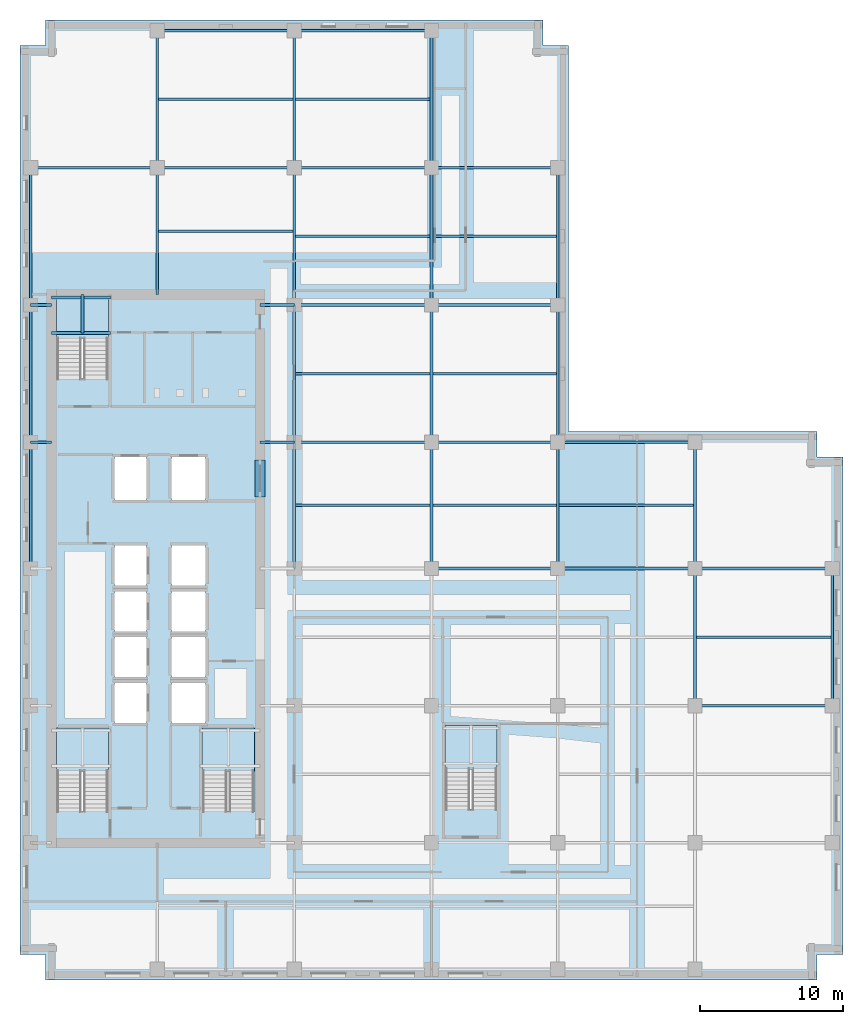
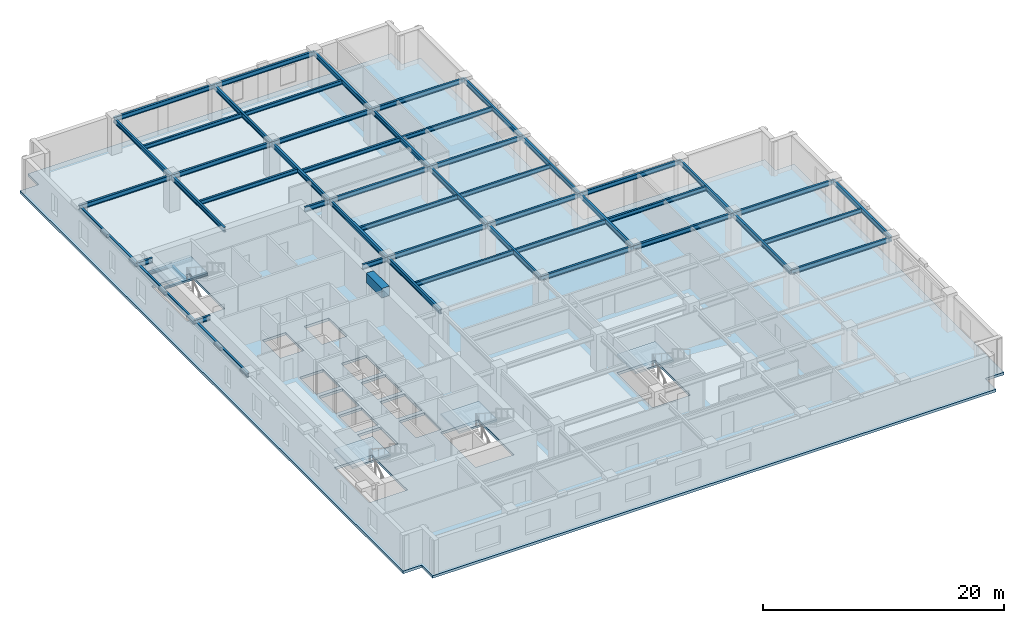
# One storey, part 2 of 12: 53 beams, 5 slabs, 4 elements without a shape of their own.
"""IFC4 building model written with IfcOpenShell, lengths in metres."""

import ifcopenshell
import ifcopenshell.guid

model = None  # the IFC model being written
_history = None  # IfcOwnerHistory: only IFC2X3 demands one
_inside = {}  # id of a spatial element -> (the spatial element, [elements in it])
_under = {}  # id of a project, library or spatial element -> (it, [spatial elements below it])
_declared = {}  # id of a project -> (the project, [libraries it declares])
_typed = {}  # id of a type object -> (the type object, [elements of that type])
_made_of = {}  # id of a material, layer set ... -> (it, [elements and type objects made of it])


def new_model(schema):
    """Start an empty IFC model of exactly this schema.

    Asked for "IFC4X3", IfcOpenShell would pick the latest addendum, in which some entities
    have other attributes; the version numbers below select the first issue.
    IFC2X3 requires an IfcOwnerHistory on every rooted entity: one is made here for all.
    """
    global model, _history
    if schema == "IFC4X3":
        model = ifcopenshell.file(schema_version=(4, 3, 0, 0))
    else:
        model = ifcopenshell.file(schema=schema)
    _inside.clear()
    _under.clear()
    _declared.clear()
    _typed.clear()
    _made_of.clear()
    _history = None
    if model.schema == "IFC2X3":
        org = make("IfcOrganization", Name="unknown")
        user = make(
            "IfcPersonAndOrganization",
            ThePerson=make("IfcPerson", FamilyName="unknown"),
            TheOrganization=org,
        )
        app = make(
            "IfcApplication",
            ApplicationDeveloper=org,
            Version="unknown",
            ApplicationFullName="unknown",
            ApplicationIdentifier="unknown",
        )
        _history = make(
            "IfcOwnerHistory",
            OwningUser=user,
            OwningApplication=app,
            ChangeAction="ADDED",
            CreationDate=0,
        )
    return model


def make(cls, **values):
    """One entity of the class cls with the attributes given. An attribute that is None is left unset."""
    return model.create_entity(
        cls, **{name: value for name, value in values.items() if value is not None}
    )


def rooted(cls, **values):
    """An entity with a GlobalId (a new one), such as an element, a storey or a relation."""
    return make(cls, GlobalId=ifcopenshell.guid.new(), OwnerHistory=_history, **values)


def si_unit(unit_type, name, prefix=None):
    """IfcSIUnit, for example si_unit("LENGTHUNIT", "METRE", prefix="MILLI")."""
    return make("IfcSIUnit", UnitType=unit_type, Prefix=prefix, Name=name)


def assignment(units):
    """IfcUnitAssignment: the units of a project."""
    return None if units is None else make("IfcUnitAssignment", Units=units)


def point(xyz):
    """IfcCartesianPoint."""
    return None if xyz is None else make("IfcCartesianPoint", Coordinates=xyz)


def direction(xyz):
    """IfcDirection."""
    return None if xyz is None else make("IfcDirection", DirectionRatios=xyz)


def frame(location, z_axis=None, x_axis=None):
    """IfcAxis2Placement3D, a coordinate frame: its origin and axes. An axis left out is left unset."""
    return make(
        "IfcAxis2Placement3D",
        Location=point(location),
        Axis=direction(z_axis),
        RefDirection=direction(x_axis),
    )


def frame_2d(location, x_axis=None):
    """IfcAxis2Placement2D, a coordinate frame in the plane: its origin and x axis."""
    return make(
        "IfcAxis2Placement2D", Location=point(location), RefDirection=direction(x_axis)
    )


def origin():
    """The frame at (0, 0, 0) with its axes left unset."""
    return frame((0.0, 0.0, 0.0))


def origin_2d():
    """The frame at (0, 0) in the plane with its x axis left unset."""
    return frame_2d((0.0, 0.0))


def place(relative_to, where):
    """IfcLocalPlacement: puts the frame where relative to a parent placement (None: the world)."""
    return make(
        "IfcLocalPlacement", PlacementRelTo=relative_to, RelativePlacement=where
    )


def context(
    kind, dimensions, precision=None, world=None, true_north=None, identifier=None
):
    """IfcGeometricRepresentationContext, for example the 3D "Model" context."""
    return make(
        "IfcGeometricRepresentationContext",
        ContextIdentifier=identifier,
        ContextType=kind,
        CoordinateSpaceDimension=dimensions,
        Precision=precision,
        WorldCoordinateSystem=world,
        TrueNorth=true_north,
    )


def subcontext(parent, identifier, kind, view, scale=None):
    """IfcGeometricRepresentationSubContext, for example "Body" below "Model"."""
    return make(
        "IfcGeometricRepresentationSubContext",
        ContextIdentifier=identifier,
        ContextType=kind,
        ParentContext=parent,
        TargetScale=scale,
        TargetView=view,
    )


def project(units=None, contexts=None):
    """IfcProject with its units and contexts."""
    return rooted(
        "IfcProject",
        Name="project",
        RepresentationContexts=contexts,
        UnitsInContext=assignment(units),
    )


def spatial(cls, under=None, at=None, **own):
    """A site, building, storey or space (cls), placed at a placement, below another one or the project."""
    s = rooted(cls, ObjectPlacement=at, **own)
    if under is not None:
        _under.setdefault(under.id(), (under, []))[1].append(s)
    return s


def polyline(points):
    """IfcPolyline through the points."""
    return make("IfcPolyline", Points=[point(p) for p in points])


def profile(cls, at=None, kind="AREA", **sizes):
    """A parametric profile (cls). Its sizes go by their IFC names, for example OverallWidth=200.0."""
    return make(cls, ProfileType=kind, Position=at, **sizes)


def rectangle(**sizes):
    """IfcRectangleProfileDef."""
    return profile("IfcRectangleProfileDef", **sizes)


def i_section(**sizes):
    """IfcIShapeProfileDef."""
    return profile("IfcIShapeProfileDef", **sizes)


def outline(outer, holes=None, kind="AREA"):
    """IfcArbitraryClosedProfileDef: a profile drawn as a closed curve; with holes, ...WithVoids."""
    if holes is None:
        return make("IfcArbitraryClosedProfileDef", ProfileType=kind, OuterCurve=outer)
    return make(
        "IfcArbitraryProfileDefWithVoids",
        ProfileType=kind,
        OuterCurve=outer,
        InnerCurves=holes,
    )


def extrude(swept, where, along, depth):
    """IfcExtrudedAreaSolid: the profile swept, set in the frame where, extruded along a direction by depth."""
    return make(
        "IfcExtrudedAreaSolid",
        SweptArea=swept,
        Position=where,
        ExtrudedDirection=direction(along),
        Depth=depth,
    )


def shape(context_of_items, identifier, shape_type, items):
    """IfcShapeRepresentation: the items that make up one representation, for example the "Body"."""
    return make(
        "IfcShapeRepresentation",
        ContextOfItems=context_of_items,
        RepresentationIdentifier=identifier,
        RepresentationType=shape_type,
        Items=items,
    )


def material(Name=None, Category=None):
    """IfcMaterial."""
    return make("IfcMaterial", Name=Name, Category=Category)


def layer(
    of_material, thickness, ventilated=None, Name=None, Category=None, Priority=None
):
    """IfcMaterialLayer: one layer of a wall or slab, of a material (None: an air gap)."""
    return make(
        "IfcMaterialLayer",
        Material=of_material,
        LayerThickness=thickness,
        IsVentilated=ventilated,
        Name=Name,
        Category=Category,
        Priority=Priority,
    )


def layer_set(layers, Name=None):
    """IfcMaterialLayerSet."""
    return make("IfcMaterialLayerSet", MaterialLayers=layers, LayerSetName=Name)


def material_profile(
    of_material, cross_section, Name=None, Category=None, Priority=None
):
    """IfcMaterialProfile: a cross section and its material."""
    return make(
        "IfcMaterialProfile",
        Name=Name,
        Material=of_material,
        Profile=cross_section,
        Priority=Priority,
        Category=Category,
    )


def profile_set(profiles, Name=None, composite=None):
    """IfcMaterialProfileSet."""
    return make(
        "IfcMaterialProfileSet",
        Name=Name,
        MaterialProfiles=profiles,
        CompositeProfile=composite,
    )


def made_of(thing, what):
    """Note that an element or type object is made of a material, layer set ...; save() writes the relation."""
    if what is not None:
        _made_of.setdefault(what.id(), (what, []))[1].append(thing)
    return thing


def type_object(cls, material=None, **own):
    """A type object (cls), such as IfcWallType, which elements share."""
    return made_of(rooted(cls, **own), material)


def element(
    cls,
    number,
    at=None,
    inside=None,
    cuts=None,
    type_object=None,
    material=None,
    context=None,
    identifier="Body",
    shape_type=None,
    held_by="IfcProductDefinitionShape",
    body=None,
    shapes=None,
    **own,
):
    """One element of the class cls, such as IfcWall. Its Tag is "e" and its number.

    at: its placement. inside: the storey or other place that contains it. cuts: it is an
    opening in that element (IfcRelVoidsElement). A single representation is given by context,
    identifier, shape_type and body (its items); several are given by shapes. held_by: the class
    of the entity that holds the representations. save() writes the other relations.
    """
    e = rooted(cls, Tag="e%d" % number, ObjectPlacement=at, **own)
    if body is not None:
        shapes = [shape(context, identifier, shape_type, body)]
    if shapes is not None:
        e.Representation = make(held_by, Representations=shapes)
    if inside is not None:
        _inside.setdefault(inside.id(), (inside, []))[1].append(e)
    if cuts is not None:
        rooted(
            "IfcRelVoidsElement", RelatingBuildingElement=cuts, RelatedOpeningElement=e
        )
    if type_object is not None:
        _typed.setdefault(type_object.id(), (type_object, []))[1].append(e)
    return made_of(e, material)


def aggregate(whole, parts):
    """IfcRelAggregates: a whole, such as a stair, and the parts it consists of."""
    return rooted("IfcRelAggregates", RelatingObject=whole, RelatedObjects=parts)


def save(model, path):
    """Write the relations noted so far, then the file.

    IfcRelAggregates (storeys below a building ...), IfcRelContainedInSpatialStructure (elements
    in a storey), IfcRelDefinesByType, IfcRelAssociatesMaterial and IfcRelDeclares: one each for
    every whole, place, type object, material and project.
    """
    for whole, parts in _under.values():
        aggregate(whole, parts)
    for where, things in _inside.values():
        rooted(
            "IfcRelContainedInSpatialStructure",
            RelatedElements=things,
            RelatingStructure=where,
        )
    for kind, things in _typed.values():
        rooted("IfcRelDefinesByType", RelatedObjects=things, RelatingType=kind)
    for what, things in _made_of.values():
        rooted("IfcRelAssociatesMaterial", RelatedObjects=things, RelatingMaterial=what)
    for by, libraries in _declared.values():
        rooted("IfcRelDeclares", RelatingContext=by, RelatedDefinitions=libraries)
    model.write(path)


model = new_model("IFC4")

# Units and contexts
model_context = context("Model", 3, precision=1e-05, world=origin(), true_north=direction((0.0, 1.0)))
body_context = subcontext(model_context, "Body", "Model", "MODEL_VIEW")
ifc_project = project(units=[si_unit("LENGTHUNIT", "METRE"), si_unit("AREAUNIT", "SQUARE_METRE"), si_unit("VOLUMEUNIT", "CUBIC_METRE"), si_unit("PLANEANGLEUNIT", "RADIAN"), si_unit("MASSUNIT", "GRAM", prefix="KILO")], contexts=[model_context])

# Site, building, storey
site_placement = place(None, origin())
site = spatial("IfcSite", under=ifc_project, at=site_placement, CompositionType="ELEMENT")
building_placement = place(site_placement, origin())
building = spatial("IfcBuilding", under=site, at=building_placement, Name="Norrvale University Quadrangle", CompositionType="ELEMENT")
storey_placement = place(building_placement, frame((0.0, 0.0, 147.0)))
storey = spatial("IfcBuildingStorey", under=building, at=storey_placement, Name="L37", CompositionType="ELEMENT", Elevation=147.0)

# Beams
ifc_material_1 = material(Name="Steel 350W", Category="steel")
ifc_material_profile_1 = material_profile(ifc_material_1, i_section(OverallWidth=0.180908203125, OverallDepth=0.4169921875, WebThickness=0.010986328125, FlangeThickness=0.018310546875, FilletRadius=0.011962890625, at=origin_2d()), Name="Steel 350W")
ifc_profile_set_1 = profile_set([ifc_material_profile_1], Name="Steel 350W")
beam_type_1 = type_object("IfcBeamType", Name="Beam Atrium W410x85", PredefinedType="BEAM", material=ifc_profile_set_1)
beam_1_placement = place(storey_placement, frame((9.697021484375, 61.64990234375, 3.271484375), z_axis=(1.0, 0.0, 0.0), x_axis=(0.0, 1.0, 0.0)))
element("IfcBeam", 1, at=beam_1_placement, inside=storey, type_object=beam_type_1, Name="Beam Atrium W410x85 BM-L37-J070", PredefinedType="BEAM", context=body_context, shape_type="SweptSolid", body=[
    extrude(i_section(OverallWidth=0.180908203125, OverallDepth=0.4169921875, WebThickness=0.010986328125, FlangeThickness=0.018310546875, FilletRadius=0.011962890625, at=origin_2d()), origin(), (0.0, 0.0, 1.0), 9.406005859375),
])
for number, where, z_axis, x_axis, name in (
    (2, (19.297119140625, 33.22509765625, 3.271484375), (1.0, 0.0, 0.0), (0.0, 1.0, 0.0), "Beam Atrium W410x85 BM-L37-J074"),
    (3, (19.297119140625, 42.449951171875, 3.271484375), (1.0, 0.0, 0.0), (0.0, 1.0, 0.0), "Beam Atrium W410x85 BM-L37-J075"),
    (4, (19.297119140625, 52.050048828125, 3.271484375), (1.0, 0.0, 0.0), (0.0, 1.0, 0.0), "Beam Atrium W410x85 BM-L37-J076"),
    (5, (19.297119140625, 61.64990234375, 3.271484375), (1.0, 0.0, 0.0), (0.0, 1.0, 0.0), "Beam Atrium W410x85 BM-L37-J077"),
):
    element("IfcBeam", number, at=place(storey_placement, frame(where, z_axis=z_axis, x_axis=x_axis)), inside=storey, type_object=beam_type_1, Name=name, PredefinedType="BEAM", context=body_context, shape_type="SweptSolid", body=[
        extrude(i_section(OverallWidth=0.180908203125, OverallDepth=0.4169921875, WebThickness=0.010986328125, FlangeThickness=0.018310546875, FilletRadius=0.011962890625, at=origin_2d()), origin(), (0.0, 0.0, 1.0), 9.40576171875),
    ])
for number, where, z_axis, x_axis, name in (
    (6, (28.89697265625, 33.22509765625, 3.271484375), (1.0, 0.0, 0.0), (0.0, 1.0, 0.0), "Beam Atrium W410x85 BM-L37-J080"),
    (7, (28.89697265625, 42.449951171875, 3.271484375), (1.0, 0.0, 0.0), (0.0, 1.0, 0.0), "Beam Atrium W410x85 BM-L37-J081"),
    (8, (28.89697265625, 52.050048828125, 3.271484375), (1.0, 0.0, 0.0), (0.0, 1.0, 0.0), "Beam Atrium W410x85 BM-L37-J082"),
):
    element("IfcBeam", number, at=place(storey_placement, frame(where, z_axis=z_axis, x_axis=x_axis)), inside=storey, type_object=beam_type_1, Name=name, PredefinedType="BEAM", context=body_context, shape_type="SweptSolid", body=[
        extrude(i_section(OverallWidth=0.180908203125, OverallDepth=0.4169921875, WebThickness=0.010986328125, FlangeThickness=0.018310546875, FilletRadius=0.011962890625, at=origin_2d()), origin(), (0.0, 0.0, 1.0), 8.656005859375),
    ])
for number, where, z_axis, x_axis, name in (
    (9, (37.7470703125, 33.22509765625, 3.271484375), (1.0, 0.0, 0.0), (0.0, 1.0, 0.0), "Beam Atrium W410x85 BM-L37-J086"),
    (10, (47.346923828125, 24.0, 3.271484375), (1.0, 0.0, 0.0), (0.0, 1.0, 0.0), "Beam Atrium W410x85 BM-L37-J088"),
    (11, (9.697021484375, 52.39990234375, 3.271484375), (1.0, 0.0, 0.0), (0.0, 1.0, 0.0), "Beam Atrium W410x85 BM-L37-JCN092"),
):
    element("IfcBeam", number, at=place(storey_placement, frame(where, z_axis=z_axis, x_axis=x_axis)), inside=storey, type_object=beam_type_1, Name=name, PredefinedType="BEAM", context=body_context, shape_type="SweptSolid", body=[
        extrude(i_section(OverallWidth=0.180908203125, OverallDepth=0.4169921875, WebThickness=0.010986328125, FlangeThickness=0.018310546875, FilletRadius=0.011962890625, at=origin_2d()), origin(), (0.0, 0.0, 1.0), 9.406005859375),
    ])
ifc_material_2 = material(Name="Concrete C80/95", Category="concrete")
ifc_material_profile_2 = material_profile(ifc_material_2, rectangle(XDim=0.699951171875, YDim=0.949951171875, at=origin_2d()), Name="Concrete C80/95")
ifc_profile_set_2 = profile_set([ifc_material_profile_2], Name="Concrete C80/95")
beam_type_2 = type_object("IfcBeamType", Name="Beam Core Link 700x950", PredefinedType="LINTEL", material=ifc_profile_set_2)
beam_2_placement = place(storey_placement, frame((16.800048828125, 33.800048828125, 3.0048828125), z_axis=(0.0, 1.0, 0.0), x_axis=(-1.0, 0.0, 0.0)))
element("IfcBeam", 12, at=beam_2_placement, inside=storey, type_object=beam_type_2, Name="Core Coupling Lintel Beam L37-2", PredefinedType="LINTEL", context=body_context, shape_type="SweptSolid", body=[
    extrude(rectangle(XDim=0.699951171875, YDim=0.949951171875, at=origin_2d()), origin(), (0.0, 0.0, 1.0), 2.599853515625),
])
ifc_material_profile_3 = material_profile(ifc_material_1, i_section(OverallWidth=0.194091796875, OverallDepth=0.468994140625, WebThickness=0.0126953125, FlangeThickness=0.0205078125, FilletRadius=0.012939453125, at=origin_2d()), Name="Steel 350W")
ifc_profile_set_3 = profile_set([ifc_material_profile_3], Name="Steel 350W")
beam_type_3 = type_object("IfcBeamType", Name="Beam Floor W460x106", PredefinedType="BEAM", material=ifc_profile_set_3)
beam_3_placement = place(storey_placement, frame((47.25, 19.199951171875, 3.24560546875), z_axis=(1.0, 0.0, 0.0), x_axis=(0.0, 1.0, 0.0)))
element("IfcBeam", 13, at=beam_3_placement, inside=storey, type_object=beam_type_3, Name="Beam Floor W460x106 BM-L37-GX012", PredefinedType="BEAM", context=body_context, shape_type="SweptSolid", body=[
    extrude(i_section(OverallWidth=0.194091796875, OverallDepth=0.468994140625, WebThickness=0.0126953125, FlangeThickness=0.0205078125, FilletRadius=0.012939453125, at=origin_2d()), origin(), (0.0, 0.0, 1.0), 9.60009765625),
])
beam_4_placement = place(storey_placement, frame((28.800048828125, 28.800048828125, 3.24560546875), z_axis=(1.0, 0.0, 0.0), x_axis=(0.0, 1.0, 0.0)))
element("IfcBeam", 14, at=beam_4_placement, inside=storey, type_object=beam_type_3, Name="Beam Floor W460x106 BM-L37-GX014", PredefinedType="BEAM", context=body_context, shape_type="SweptSolid", body=[
    extrude(i_section(OverallWidth=0.194091796875, OverallDepth=0.468994140625, WebThickness=0.0126953125, FlangeThickness=0.0205078125, FilletRadius=0.012939453125, at=origin_2d()), origin(), (0.0, 0.0, 1.0), 8.849853515625),
])
for number, where, z_axis, x_axis, name in (
    (15, (37.64990234375, 28.800048828125, 3.24560546875), (1.0, 0.0, 0.0), (0.0, 1.0, 0.0), "Beam Floor W460x106 BM-L37-GX015"),
    (16, (47.25, 28.800048828125, 3.24560546875), (1.0, 0.0, 0.0), (0.0, 1.0, 0.0), "Beam Floor W460x106 BM-L37-GX016"),
    (17, (19.199951171875, 37.64990234375, 3.24560546875), (1.0, 0.0, 0.0), (0.0, 1.0, 0.0), "Beam Floor W460x106 BM-L37-GX017"),
):
    element("IfcBeam", number, at=place(storey_placement, frame(where, z_axis=z_axis, x_axis=x_axis)), inside=storey, type_object=beam_type_3, Name=name, PredefinedType="BEAM", context=body_context, shape_type="SweptSolid", body=[
        extrude(i_section(OverallWidth=0.194091796875, OverallDepth=0.468994140625, WebThickness=0.0126953125, FlangeThickness=0.0205078125, FilletRadius=0.012939453125, at=origin_2d()), origin(), (0.0, 0.0, 1.0), 9.60009765625),
    ])
beam_5_placement = place(storey_placement, frame((28.800048828125, 37.64990234375, 3.24560546875), z_axis=(1.0, 0.0, 0.0), x_axis=(0.0, 1.0, 0.0)))
element("IfcBeam", 18, at=beam_5_placement, inside=storey, type_object=beam_type_3, Name="Beam Floor W460x106 BM-L37-GX018", PredefinedType="BEAM", context=body_context, shape_type="SweptSolid", body=[
    extrude(i_section(OverallWidth=0.194091796875, OverallDepth=0.468994140625, WebThickness=0.0126953125, FlangeThickness=0.0205078125, FilletRadius=0.012939453125, at=origin_2d()), origin(), (0.0, 0.0, 1.0), 8.849853515625),
])
for number, where, z_axis, x_axis, name in (
    (19, (37.64990234375, 37.64990234375, 3.24560546875), (1.0, 0.0, 0.0), (0.0, 1.0, 0.0), "Beam Floor W460x106 BM-L37-GX019"),
    (20, (19.199951171875, 47.25, 3.24560546875), (1.0, 0.0, 0.0), (0.0, 1.0, 0.0), "Beam Floor W460x106 BM-L37-GX020"),
):
    element("IfcBeam", number, at=place(storey_placement, frame(where, z_axis=z_axis, x_axis=x_axis)), inside=storey, type_object=beam_type_3, Name=name, PredefinedType="BEAM", context=body_context, shape_type="SweptSolid", body=[
        extrude(i_section(OverallWidth=0.194091796875, OverallDepth=0.468994140625, WebThickness=0.0126953125, FlangeThickness=0.0205078125, FilletRadius=0.012939453125, at=origin_2d()), origin(), (0.0, 0.0, 1.0), 9.60009765625),
    ])
beam_6_placement = place(storey_placement, frame((28.800048828125, 47.25, 3.24560546875), z_axis=(1.0, 0.0, 0.0), x_axis=(0.0, 1.0, 0.0)))
element("IfcBeam", 21, at=beam_6_placement, inside=storey, type_object=beam_type_3, Name="Beam Floor W460x106 BM-L37-GX021", PredefinedType="BEAM", context=body_context, shape_type="SweptSolid", body=[
    extrude(i_section(OverallWidth=0.194091796875, OverallDepth=0.468994140625, WebThickness=0.0126953125, FlangeThickness=0.0205078125, FilletRadius=0.012939453125, at=origin_2d()), origin(), (0.0, 0.0, 1.0), 8.849853515625),
])
beam_7_placement = place(storey_placement, frame((0.75, 56.85009765625, 3.24560546875), z_axis=(1.0, 0.0, 0.0), x_axis=(0.0, 1.0, 0.0)))
element("IfcBeam", 22, at=beam_7_placement, inside=storey, type_object=beam_type_3, Name="Beam Floor W460x106 BM-L37-GX022", PredefinedType="BEAM", context=body_context, shape_type="SweptSolid", body=[
    extrude(i_section(OverallWidth=0.194091796875, OverallDepth=0.468994140625, WebThickness=0.0126953125, FlangeThickness=0.0205078125, FilletRadius=0.012939453125, at=origin_2d()), origin(), (0.0, 0.0, 1.0), 8.85009765625),
])
beam_8_placement = place(storey_placement, frame((9.60009765625, 56.85009765625, 3.24560546875), z_axis=(1.0, 0.0, 0.0), x_axis=(0.0, 1.0, 0.0)))
element("IfcBeam", 23, at=beam_8_placement, inside=storey, type_object=beam_type_3, Name="Beam Floor W460x106 BM-L37-GX023", PredefinedType="BEAM", context=body_context, shape_type="SweptSolid", body=[
    extrude(i_section(OverallWidth=0.194091796875, OverallDepth=0.468994140625, WebThickness=0.0126953125, FlangeThickness=0.0205078125, FilletRadius=0.012939453125, at=origin_2d()), origin(), (0.0, 0.0, 1.0), 9.599853515625),
])
beam_9_placement = place(storey_placement, frame((19.199951171875, 56.85009765625, 3.24560546875), z_axis=(1.0, 0.0, 0.0), x_axis=(0.0, 1.0, 0.0)))
element("IfcBeam", 24, at=beam_9_placement, inside=storey, type_object=beam_type_3, Name="Beam Floor W460x106 BM-L37-GX024", PredefinedType="BEAM", context=body_context, shape_type="SweptSolid", body=[
    extrude(i_section(OverallWidth=0.194091796875, OverallDepth=0.468994140625, WebThickness=0.0126953125, FlangeThickness=0.0205078125, FilletRadius=0.012939453125, at=origin_2d()), origin(), (0.0, 0.0, 1.0), 9.60009765625),
])
beam_10_placement = place(storey_placement, frame((28.800048828125, 56.85009765625, 3.24560546875), z_axis=(1.0, 0.0, 0.0), x_axis=(0.0, 1.0, 0.0)))
element("IfcBeam", 25, at=beam_10_placement, inside=storey, type_object=beam_type_3, Name="Beam Floor W460x106 BM-L37-GX025", PredefinedType="BEAM", context=body_context, shape_type="SweptSolid", body=[
    extrude(i_section(OverallWidth=0.194091796875, OverallDepth=0.468994140625, WebThickness=0.0126953125, FlangeThickness=0.0205078125, FilletRadius=0.012939453125, at=origin_2d()), origin(), (0.0, 0.0, 1.0), 8.849853515625),
])
beam_11_placement = place(storey_placement, frame((9.60009765625, 66.449951171875, 3.24560546875), z_axis=(1.0, 0.0, 0.0), x_axis=(0.0, 1.0, 0.0)))
element("IfcBeam", 26, at=beam_11_placement, inside=storey, type_object=beam_type_3, Name="Beam Floor W460x106 BM-L37-GX026", PredefinedType="BEAM", context=body_context, shape_type="SweptSolid", body=[
    extrude(i_section(OverallWidth=0.194091796875, OverallDepth=0.468994140625, WebThickness=0.0126953125, FlangeThickness=0.0205078125, FilletRadius=0.012939453125, at=origin_2d()), origin(), (0.0, 0.0, 1.0), 9.599853515625),
])
beam_12_placement = place(storey_placement, frame((19.199951171875, 66.449951171875, 3.24560546875), z_axis=(1.0, 0.0, 0.0), x_axis=(0.0, 1.0, 0.0)))
element("IfcBeam", 27, at=beam_12_placement, inside=storey, type_object=beam_type_3, Name="Beam Floor W460x106 BM-L37-GX027", PredefinedType="BEAM", context=body_context, shape_type="SweptSolid", body=[
    extrude(i_section(OverallWidth=0.194091796875, OverallDepth=0.468994140625, WebThickness=0.0126953125, FlangeThickness=0.0205078125, FilletRadius=0.012939453125, at=origin_2d()), origin(), (0.0, 0.0, 1.0), 9.60009765625),
])
beam_13_placement = place(storey_placement, frame((0.75, 28.800048828125, 3.24560546875), z_axis=(0.0, 1.0, 0.0), x_axis=(-1.0, 0.0, 0.0)))
element("IfcBeam", 28, at=beam_13_placement, inside=storey, type_object=beam_type_3, Name="Beam Floor W460x106 BM-L37-GY030", PredefinedType="BEAM", context=body_context, shape_type="SweptSolid", body=[
    extrude(i_section(OverallWidth=0.194091796875, OverallDepth=0.468994140625, WebThickness=0.0126953125, FlangeThickness=0.0205078125, FilletRadius=0.012939453125, at=origin_2d()), origin(), (0.0, 0.0, 1.0), 8.849853515625),
])
for number, where, z_axis, x_axis, name in (
    (29, (0.75, 37.64990234375, 3.24560546875), (0.0, 1.0, 0.0), (-1.0, 0.0, 0.0), "Beam Floor W460x106 BM-L37-GY031"),
    (30, (0.75, 47.25, 3.24560546875), (0.0, 1.0, 0.0), (-1.0, 0.0, 0.0), "Beam Floor W460x106 BM-L37-GY032"),
):
    element("IfcBeam", number, at=place(storey_placement, frame(where, z_axis=z_axis, x_axis=x_axis)), inside=storey, type_object=beam_type_3, Name=name, PredefinedType="BEAM", context=body_context, shape_type="SweptSolid", body=[
        extrude(i_section(OverallWidth=0.194091796875, OverallDepth=0.468994140625, WebThickness=0.0126953125, FlangeThickness=0.0205078125, FilletRadius=0.012939453125, at=origin_2d()), origin(), (0.0, 0.0, 1.0), 9.60009765625),
    ])
beam_14_placement = place(storey_placement, frame((9.60009765625, 56.85009765625, 3.24560546875), z_axis=(0.0, 1.0, 0.0), x_axis=(-1.0, 0.0, 0.0)))
element("IfcBeam", 31, at=beam_14_placement, inside=storey, type_object=beam_type_3, Name="Beam Floor W460x106 BM-L37-GY033", PredefinedType="BEAM", context=body_context, shape_type="SweptSolid", body=[
    extrude(i_section(OverallWidth=0.194091796875, OverallDepth=0.468994140625, WebThickness=0.0126953125, FlangeThickness=0.0205078125, FilletRadius=0.012939453125, at=origin_2d()), origin(), (0.0, 0.0, 1.0), 9.599853515625),
])
beam_15_placement = place(storey_placement, frame((19.199951171875, 28.800048828125, 3.24560546875), z_axis=(0.0, 1.0, 0.0), x_axis=(-1.0, 0.0, 0.0)))
element("IfcBeam", 32, at=beam_15_placement, inside=storey, type_object=beam_type_3, Name="Beam Floor W460x106 BM-L37-GY037", PredefinedType="BEAM", context=body_context, shape_type="SweptSolid", body=[
    extrude(i_section(OverallWidth=0.194091796875, OverallDepth=0.468994140625, WebThickness=0.0126953125, FlangeThickness=0.0205078125, FilletRadius=0.012939453125, at=origin_2d()), origin(), (0.0, 0.0, 1.0), 8.849853515625),
])
for number, where, z_axis, x_axis, name in (
    (33, (19.199951171875, 37.64990234375, 3.24560546875), (0.0, 1.0, 0.0), (-1.0, 0.0, 0.0), "Beam Floor W460x106 BM-L37-GY038"),
    (34, (19.199951171875, 47.25, 3.24560546875), (0.0, 1.0, 0.0), (-1.0, 0.0, 0.0), "Beam Floor W460x106 BM-L37-GY039"),
):
    element("IfcBeam", number, at=place(storey_placement, frame(where, z_axis=z_axis, x_axis=x_axis)), inside=storey, type_object=beam_type_3, Name=name, PredefinedType="BEAM", context=body_context, shape_type="SweptSolid", body=[
        extrude(i_section(OverallWidth=0.194091796875, OverallDepth=0.468994140625, WebThickness=0.0126953125, FlangeThickness=0.0205078125, FilletRadius=0.012939453125, at=origin_2d()), origin(), (0.0, 0.0, 1.0), 9.60009765625),
    ])
beam_16_placement = place(storey_placement, frame((19.199951171875, 56.85009765625, 3.24560546875), z_axis=(0.0, 1.0, 0.0), x_axis=(-1.0, 0.0, 0.0)))
element("IfcBeam", 35, at=beam_16_placement, inside=storey, type_object=beam_type_3, Name="Beam Floor W460x106 BM-L37-GY040", PredefinedType="BEAM", context=body_context, shape_type="SweptSolid", body=[
    extrude(i_section(OverallWidth=0.194091796875, OverallDepth=0.468994140625, WebThickness=0.0126953125, FlangeThickness=0.0205078125, FilletRadius=0.012939453125, at=origin_2d()), origin(), (0.0, 0.0, 1.0), 9.599853515625),
])
beam_17_placement = place(storey_placement, frame((28.800048828125, 28.800048828125, 3.24560546875), z_axis=(0.0, 1.0, 0.0), x_axis=(-1.0, 0.0, 0.0)))
element("IfcBeam", 36, at=beam_17_placement, inside=storey, type_object=beam_type_3, Name="Beam Floor W460x106 BM-L37-GY044", PredefinedType="BEAM", context=body_context, shape_type="SweptSolid", body=[
    extrude(i_section(OverallWidth=0.194091796875, OverallDepth=0.468994140625, WebThickness=0.0126953125, FlangeThickness=0.0205078125, FilletRadius=0.012939453125, at=origin_2d()), origin(), (0.0, 0.0, 1.0), 8.849853515625),
])
for number, where, z_axis, x_axis, name in (
    (37, (28.800048828125, 37.64990234375, 3.24560546875), (0.0, 1.0, 0.0), (-1.0, 0.0, 0.0), "Beam Floor W460x106 BM-L37-GY045"),
    (38, (28.800048828125, 47.25, 3.24560546875), (0.0, 1.0, 0.0), (-1.0, 0.0, 0.0), "Beam Floor W460x106 BM-L37-GY046"),
):
    element("IfcBeam", number, at=place(storey_placement, frame(where, z_axis=z_axis, x_axis=x_axis)), inside=storey, type_object=beam_type_3, Name=name, PredefinedType="BEAM", context=body_context, shape_type="SweptSolid", body=[
        extrude(i_section(OverallWidth=0.194091796875, OverallDepth=0.468994140625, WebThickness=0.0126953125, FlangeThickness=0.0205078125, FilletRadius=0.012939453125, at=origin_2d()), origin(), (0.0, 0.0, 1.0), 9.60009765625),
    ])
beam_18_placement = place(storey_placement, frame((28.800048828125, 56.85009765625, 3.24560546875), z_axis=(0.0, 1.0, 0.0), x_axis=(-1.0, 0.0, 0.0)))
element("IfcBeam", 39, at=beam_18_placement, inside=storey, type_object=beam_type_3, Name="Beam Floor W460x106 BM-L37-GY047", PredefinedType="BEAM", context=body_context, shape_type="SweptSolid", body=[
    extrude(i_section(OverallWidth=0.194091796875, OverallDepth=0.468994140625, WebThickness=0.0126953125, FlangeThickness=0.0205078125, FilletRadius=0.012939453125, at=origin_2d()), origin(), (0.0, 0.0, 1.0), 9.599853515625),
])
beam_19_placement = place(storey_placement, frame((37.64990234375, 28.800048828125, 3.24560546875), z_axis=(0.0, 1.0, 0.0), x_axis=(-1.0, 0.0, 0.0)))
element("IfcBeam", 40, at=beam_19_placement, inside=storey, type_object=beam_type_3, Name="Beam Floor W460x106 BM-L37-GY051", PredefinedType="BEAM", context=body_context, shape_type="SweptSolid", body=[
    extrude(i_section(OverallWidth=0.194091796875, OverallDepth=0.468994140625, WebThickness=0.0126953125, FlangeThickness=0.0205078125, FilletRadius=0.012939453125, at=origin_2d()), origin(), (0.0, 0.0, 1.0), 8.849853515625),
])
for number, where, z_axis, x_axis, name in (
    (41, (37.64990234375, 37.64990234375, 3.24560546875), (0.0, 1.0, 0.0), (-1.0, 0.0, 0.0), "Beam Floor W460x106 BM-L37-GY052"),
    (42, (37.64990234375, 47.25, 3.24560546875), (0.0, 1.0, 0.0), (-1.0, 0.0, 0.0), "Beam Floor W460x106 BM-L37-GY053"),
    (43, (47.25, 19.199951171875, 3.24560546875), (0.0, 1.0, 0.0), (-1.0, 0.0, 0.0), "Beam Floor W460x106 BM-L37-GY056"),
):
    element("IfcBeam", number, at=place(storey_placement, frame(where, z_axis=z_axis, x_axis=x_axis)), inside=storey, type_object=beam_type_3, Name=name, PredefinedType="BEAM", context=body_context, shape_type="SweptSolid", body=[
        extrude(i_section(OverallWidth=0.194091796875, OverallDepth=0.468994140625, WebThickness=0.0126953125, FlangeThickness=0.0205078125, FilletRadius=0.012939453125, at=origin_2d()), origin(), (0.0, 0.0, 1.0), 9.60009765625),
    ])
beam_20_placement = place(storey_placement, frame((47.25, 28.800048828125, 3.24560546875), z_axis=(0.0, 1.0, 0.0), x_axis=(-1.0, 0.0, 0.0)))
element("IfcBeam", 44, at=beam_20_placement, inside=storey, type_object=beam_type_3, Name="Beam Floor W460x106 BM-L37-GY057", PredefinedType="BEAM", context=body_context, shape_type="SweptSolid", body=[
    extrude(i_section(OverallWidth=0.194091796875, OverallDepth=0.468994140625, WebThickness=0.0126953125, FlangeThickness=0.0205078125, FilletRadius=0.012939453125, at=origin_2d()), origin(), (0.0, 0.0, 1.0), 8.849853515625),
])
beam_21_placement = place(storey_placement, frame((56.85009765625, 19.199951171875, 3.24560546875), z_axis=(0.0, 1.0, 0.0), x_axis=(-1.0, 0.0, 0.0)))
element("IfcBeam", 45, at=beam_21_placement, inside=storey, type_object=beam_type_3, Name="Beam Floor W460x106 BM-L37-GY059", PredefinedType="BEAM", context=body_context, shape_type="SweptSolid", body=[
    extrude(i_section(OverallWidth=0.194091796875, OverallDepth=0.468994140625, WebThickness=0.0126953125, FlangeThickness=0.0205078125, FilletRadius=0.012939453125, at=origin_2d()), origin(), (0.0, 0.0, 1.0), 9.60009765625),
])
beam_22_placement = place(storey_placement, frame((0.75, 37.64990234375, 3.24560546875), z_axis=(1.0, 0.0, 0.0), x_axis=(0.0, 1.0, 0.0)))
element("IfcBeam", 46, at=beam_22_placement, inside=storey, type_object=beam_type_3, Name="Beam Floor W460x106 BM-L37-GCW066", PredefinedType="BEAM", context=body_context, shape_type="SweptSolid", body=[
    extrude(i_section(OverallWidth=0.194091796875, OverallDepth=0.468994140625, WebThickness=0.0126953125, FlangeThickness=0.0205078125, FilletRadius=0.012939453125, at=origin_2d()), origin(), (0.0, 0.0, 1.0), 1.449951171875),
])
beam_23_placement = place(storey_placement, frame((16.800048828125, 37.64990234375, 3.24560546875), z_axis=(1.0, 0.0, 0.0), x_axis=(0.0, 1.0, 0.0)))
element("IfcBeam", 47, at=beam_23_placement, inside=storey, type_object=beam_type_3, Name="Beam Floor W460x106 BM-L37-GCE067", PredefinedType="BEAM", context=body_context, shape_type="SweptSolid", body=[
    extrude(i_section(OverallWidth=0.194091796875, OverallDepth=0.468994140625, WebThickness=0.0126953125, FlangeThickness=0.0205078125, FilletRadius=0.012939453125, at=origin_2d()), origin(), (0.0, 0.0, 1.0), 2.39990234375),
])
beam_24_placement = place(storey_placement, frame((0.75, 47.25, 3.24560546875), z_axis=(1.0, 0.0, 0.0), x_axis=(0.0, 1.0, 0.0)))
element("IfcBeam", 48, at=beam_24_placement, inside=storey, type_object=beam_type_3, Name="Beam Floor W460x106 BM-L37-GCW068", PredefinedType="BEAM", context=body_context, shape_type="SweptSolid", body=[
    extrude(i_section(OverallWidth=0.194091796875, OverallDepth=0.468994140625, WebThickness=0.0126953125, FlangeThickness=0.0205078125, FilletRadius=0.012939453125, at=origin_2d()), origin(), (0.0, 0.0, 1.0), 1.449951171875),
])
beam_25_placement = place(storey_placement, frame((16.800048828125, 47.25, 3.24560546875), z_axis=(1.0, 0.0, 0.0), x_axis=(0.0, 1.0, 0.0)))
element("IfcBeam", 49, at=beam_25_placement, inside=storey, type_object=beam_type_3, Name="Beam Floor W460x106 BM-L37-GCE069", PredefinedType="BEAM", context=body_context, shape_type="SweptSolid", body=[
    extrude(i_section(OverallWidth=0.194091796875, OverallDepth=0.468994140625, WebThickness=0.0126953125, FlangeThickness=0.0205078125, FilletRadius=0.012939453125, at=origin_2d()), origin(), (0.0, 0.0, 1.0), 2.39990234375),
])
beam_26_placement = place(storey_placement, frame((9.60009765625, 48.0, 3.24560546875), z_axis=(0.0, 1.0, 0.0), x_axis=(-1.0, 0.0, 0.0)))
element("IfcBeam", 50, at=beam_26_placement, inside=storey, type_object=beam_type_3, Name="Beam Floor W460x106 BM-L37-GCN091", PredefinedType="BEAM", context=body_context, shape_type="SweptSolid", body=[
    extrude(i_section(OverallWidth=0.194091796875, OverallDepth=0.468994140625, WebThickness=0.0126953125, FlangeThickness=0.0205078125, FilletRadius=0.012939453125, at=origin_2d()), origin(), (0.0, 0.0, 1.0), 8.85009765625),
])
ifc_material_profile_4 = material_profile(ifc_material_1, i_section(OverallWidth=0.201904296875, OverallDepth=0.2470703125, WebThickness=0.00732421875, FlangeThickness=0.010986328125, FilletRadius=0.011962890625, at=origin_2d()), Name="Steel 350W")
ifc_profile_set_4 = profile_set([ifc_material_profile_4], Name="Steel 350W")
beam_type_4 = type_object("IfcBeamType", Name="Beam Stair W250x49", PredefinedType="BEAM", material=ifc_profile_set_4)
for number, where, z_axis, x_axis, name in (
    (51, (2.199951171875, 45.2900390625, 1.576416015625), (1.0, 0.0, 0.0), (0.0, 1.0, 0.0), "Stair Mid-Landing Front Beam ST-02 L37"),
    (52, (2.199951171875, 47.77001953125, 1.576416015625), (1.0, 0.0, 0.0), (0.0, 1.0, 0.0), "Stair Mid-Landing Rear Beam ST-02 L37"),
):
    element("IfcBeam", number, at=place(storey_placement, frame(where, z_axis=z_axis, x_axis=x_axis)), inside=storey, type_object=beam_type_4, Name=name, PredefinedType="BEAM", context=body_context, shape_type="SweptSolid", body=[
        extrude(i_section(OverallWidth=0.201904296875, OverallDepth=0.2470703125, WebThickness=0.00732421875, FlangeThickness=0.010986328125, FilletRadius=0.011962890625, at=origin_2d()), origin(), (0.0, 0.0, 1.0), 4.14013671875),
    ])
ifc_material_profile_5 = material_profile(ifc_material_1, i_section(OverallWidth=0.202880859375, OverallDepth=0.202880859375, WebThickness=0.007080078125, FlangeThickness=0.010986328125, FilletRadius=0.010009765625, at=origin_2d()), Name="Steel 350W")
ifc_profile_set_5 = profile_set([ifc_material_profile_5], Name="Steel 350W")
beam_type_5 = type_object("IfcBeamType", Name="Beam Trim W200x46", PredefinedType="BEAM", material=ifc_profile_set_5)
beam_27_placement = place(storey_placement, frame((4.375, 45.2900390625, 1.598388671875), z_axis=(0.0, 1.0, 0.0), x_axis=(-1.0, 0.0, 0.0)))
element("IfcBeam", 53, at=beam_27_placement, inside=storey, type_object=beam_type_5, Name="Stair Mid-Landing Cross Beam ST-02 L37", PredefinedType="BEAM", context=body_context, shape_type="SweptSolid", body=[
    extrude(i_section(OverallWidth=0.202880859375, OverallDepth=0.202880859375, WebThickness=0.007080078125, FlangeThickness=0.010986328125, FilletRadius=0.010009765625, at=origin_2d()), origin(), (0.0, 0.0, 1.0), 2.7099609375),
])

# Stair, slab
ifc_material_3 = material(Name="Concrete C40/50", Category="concrete")
stair_type = type_object("IfcStairType", Name="Stair Tower Typ 3800", PredefinedType="TWO_STRAIGHT_RUN_STAIR", material=ifc_material_3)
stair_1_placement = place(storey_placement, origin())
stair_1 = element("IfcStair", 54, at=stair_1_placement, inside=storey, type_object=stair_type, Name="Exit Stair ST-01 L37", PredefinedType="TWO_STRAIGHT_RUN_STAIR")
ifc_layer_1 = layer(ifc_material_3, 0.199951171875, Name="Concrete C40/50")
ifc_layer_set_1 = layer_set([ifc_layer_1], Name="Concrete C40/50")
slab_type_1 = type_object("IfcSlabType", Name="Slab Landing 200", PredefinedType="LANDING", material=ifc_layer_set_1)
slab_1_placement = place(storey_placement, frame((0.0, 0.0, 1.699951171875)))
slab_1 = element("IfcSlab", 55, at=slab_1_placement, type_object=slab_type_1, Name="Exit Stair ST-01 L37 Mid Landing", PredefinedType="LANDING", context=body_context, shape_type="SweptSolid", body=[
    extrude(outline(polyline([(2.550048828125, 14.590087890625), (6.199951171875, 14.590087890625), (6.199951171875, 17.64990234375), (2.550048828125, 17.64990234375), (2.550048828125, 14.590087890625)])), origin(), (0.0, 0.0, 1.0), 0.199951171875),
])
aggregate(stair_1, [slab_1])

stair_2_placement = place(storey_placement, origin())
stair_2 = element("IfcStair", 56, at=stair_2_placement, inside=storey, type_object=stair_type, Name="Exit Stair ST-02 L37", PredefinedType="TWO_STRAIGHT_RUN_STAIR")
slab_2_placement = place(storey_placement, frame((0.0, 0.0, 1.699951171875)))
slab_2 = element("IfcSlab", 57, at=slab_2_placement, type_object=slab_type_1, Name="Exit Stair ST-02 L37 Mid Landing", PredefinedType="LANDING", context=body_context, shape_type="SweptSolid", body=[
    extrude(outline(polyline([(2.550048828125, 44.889892578125), (6.199951171875, 44.889892578125), (6.199951171875, 47.949951171875), (2.550048828125, 47.949951171875), (2.550048828125, 44.889892578125)])), origin(), (0.0, 0.0, 1.0), 0.199951171875),
])
aggregate(stair_2, [slab_2])

stair_3_placement = place(storey_placement, origin())
stair_3 = element("IfcStair", 58, at=stair_3_placement, inside=storey, type_object=stair_type, Name="Exit Stair ST-03 L37", PredefinedType="TWO_STRAIGHT_RUN_STAIR")
slab_3_placement = place(storey_placement, frame((0.0, 0.0, 1.699951171875)))
slab_3 = element("IfcSlab", 59, at=slab_3_placement, type_object=slab_type_1, Name="Exit Stair ST-03 L37 Mid Landing", PredefinedType="LANDING", context=body_context, shape_type="SweptSolid", body=[
    extrude(outline(polyline([(12.75, 14.590087890625), (16.39990234375, 14.590087890625), (16.39990234375, 17.64990234375), (12.75, 17.64990234375), (12.75, 14.590087890625)])), origin(), (0.0, 0.0, 1.0), 0.199951171875),
])
aggregate(stair_3, [slab_3])

stair_4_placement = place(storey_placement, origin())
stair_4 = element("IfcStair", 60, at=stair_4_placement, inside=storey, type_object=stair_type, Name="Exit Stair ST-04 L37", PredefinedType="TWO_STRAIGHT_RUN_STAIR")
slab_4_placement = place(storey_placement, frame((0.0, 0.0, 1.699951171875)))
slab_4 = element("IfcSlab", 61, at=slab_4_placement, type_object=slab_type_1, Name="Exit Stair ST-04 L37 Mid Landing", PredefinedType="LANDING", context=body_context, shape_type="SweptSolid", body=[
    extrude(outline(polyline([(29.75, 14.739990234375), (33.39990234375, 14.739990234375), (33.39990234375, 17.800048828125), (29.75, 17.800048828125), (29.75, 14.739990234375)])), origin(), (0.0, 0.0, 1.0), 0.199951171875),
])
aggregate(stair_4, [slab_4])

# Slab
ifc_layer_2 = layer(ifc_material_3, 0.260009765625, Name="Concrete C40/50")
ifc_layer_set_2 = layer_set([ifc_layer_2], Name="Concrete C40/50")
slab_type_2 = type_object("IfcSlabType", Name="Slab Tower Typ 260", PredefinedType="FLOOR", material=ifc_layer_set_2)
slab_5_placement = place(storey_placement, frame((0.0, 0.0, -0.260009765625)))
element("IfcSlab", 62, at=slab_5_placement, inside=storey, type_object=slab_type_2, Name="Tower L37 Floor Slab", PredefinedType="FLOOR", context=body_context, shape_type="SweptSolid", body=[
    extrude(outline(polyline([(1.800048828125, 0.0), (55.800048828125, 0.0), (55.800048828125, 1.800048828125), (57.60009765625, 1.800048828125), (57.60009765625, 36.60009765625), (55.800048828125, 36.60009765625), (55.800048828125, 38.39990234375), (38.39990234375, 38.39990234375), (38.39990234375, 65.39990234375), (36.60009765625, 65.39990234375), (36.60009765625, 67.199951171875), (1.800048828125, 67.199951171875), (1.800048828125, 65.39990234375), (0.0, 65.39990234375), (0.0, 1.800048828125), (1.800048828125, 1.800048828125), (1.800048828125, 0.0)]), holes=[polyline([(2.550048828125, 11.81005859375), (6.199951171875, 11.81005859375), (6.199951171875, 17.64990234375), (2.550048828125, 17.64990234375), (2.550048828125, 11.81005859375)]), polyline([(2.550048828125, 42.110107421875), (6.199951171875, 42.110107421875), (6.199951171875, 47.949951171875), (2.550048828125, 47.949951171875), (2.550048828125, 42.110107421875)]), polyline([(12.75, 11.81005859375), (16.39990234375, 11.81005859375), (16.39990234375, 17.64990234375), (12.75, 17.64990234375), (12.75, 11.81005859375)]), polyline([(29.75, 11.9599609375), (33.39990234375, 11.9599609375), (33.39990234375, 17.800048828125), (29.75, 17.800048828125), (29.75, 11.9599609375)]), polyline([(6.60009765625, 18.0), (8.85009765625, 18.0), (8.85009765625, 20.800048828125), (6.60009765625, 20.800048828125), (6.60009765625, 18.0)]), polyline([(6.60009765625, 21.199951171875), (8.85009765625, 21.199951171875), (8.85009765625, 24.0), (6.60009765625, 24.0), (6.60009765625, 21.199951171875)]), polyline([(6.60009765625, 24.39990234375), (8.85009765625, 24.39990234375), (8.85009765625, 27.199951171875), (6.60009765625, 27.199951171875), (6.60009765625, 24.39990234375)]), polyline([(6.60009765625, 27.60009765625), (8.85009765625, 27.60009765625), (8.85009765625, 30.39990234375), (6.60009765625, 30.39990234375), (6.60009765625, 27.60009765625)]), polyline([(10.60009765625, 18.0), (13.0, 18.0), (13.0, 20.800048828125), (10.60009765625, 20.800048828125), (10.60009765625, 18.0)]), polyline([(10.60009765625, 21.199951171875), (13.0, 21.199951171875), (13.0, 24.0), (10.60009765625, 24.0), (10.60009765625, 21.199951171875)]), polyline([(10.60009765625, 24.39990234375), (13.0, 24.39990234375), (13.0, 27.199951171875), (10.60009765625, 27.199951171875), (10.60009765625, 24.39990234375)]), polyline([(10.60009765625, 27.60009765625), (13.0, 27.60009765625), (13.0, 30.39990234375), (10.60009765625, 30.39990234375), (10.60009765625, 27.60009765625)]), polyline([(6.60009765625, 33.60009765625), (8.85009765625, 33.60009765625), (8.85009765625, 36.60009765625), (6.60009765625, 36.60009765625), (6.60009765625, 33.60009765625)]), polyline([(10.60009765625, 33.60009765625), (13.0, 33.60009765625), (13.0, 36.60009765625), (10.60009765625, 36.60009765625), (10.60009765625, 33.60009765625)])]), origin(), (0.0, 0.0, 1.0), 0.260009765625),
])

save(model, "model.ifc")
